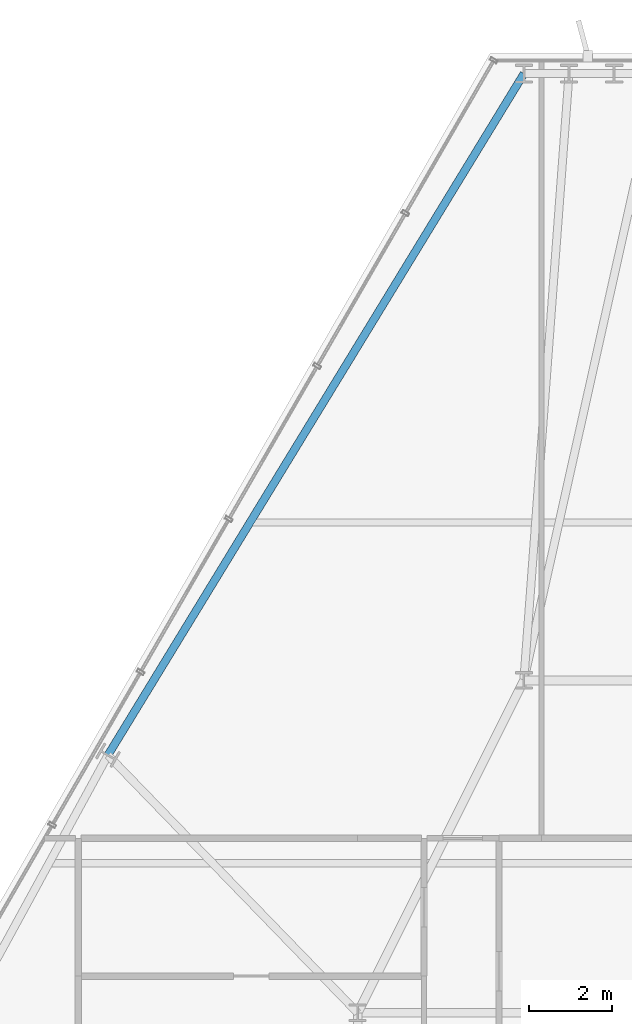
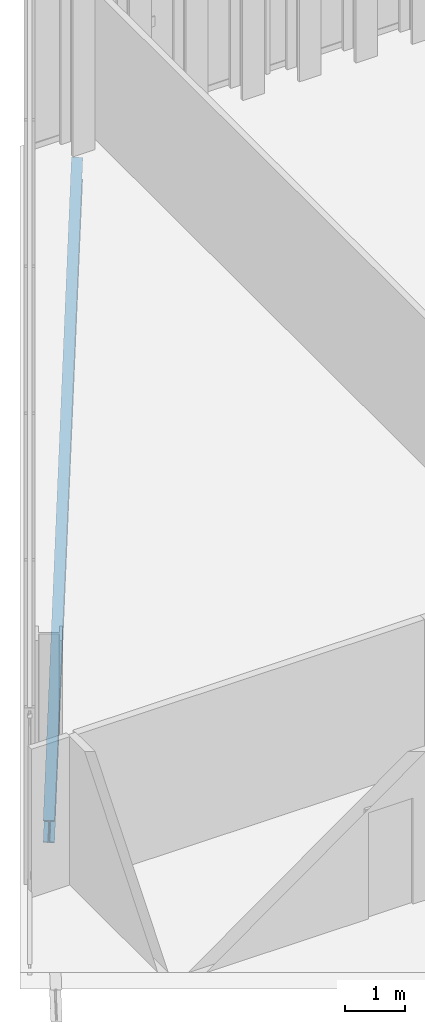
# One storey, part 20 of 34: 1 beam.
"""IFC4 building model written with IfcOpenShell, lengths in metres."""

from ifc_helpers import new_model, si_unit, direction, frame, origin, origin_2d, place, context, subcontext, project, spatial, i_section, extrude, material, material_profile, profile_set, type_object, element, save


model = new_model("IFC4")

# Units and contexts
model_context = context("Model", 3, precision=1e-05, world=origin(), true_north=direction((0.0, 1.0)))
body_context = subcontext(model_context, "Body", "Model", "MODEL_VIEW")
ifc_project = project(units=[si_unit("LENGTHUNIT", "METRE"), si_unit("AREAUNIT", "SQUARE_METRE"), si_unit("VOLUMEUNIT", "CUBIC_METRE"), si_unit("PLANEANGLEUNIT", "RADIAN"), si_unit("MASSUNIT", "GRAM", prefix="KILO")], contexts=[model_context])

# Site, building, storey
site_placement = place(None, origin())
site = spatial("IfcSite", under=ifc_project, at=site_placement, CompositionType="ELEMENT")
building_placement = place(site_placement, origin())
building = spatial("IfcBuilding", under=site, at=building_placement, Name="Ndaravel Arena Tower", CompositionType="ELEMENT")
storey_placement = place(building_placement, frame((0.0, 0.0, 195.39990234375)))
storey = spatial("IfcBuildingStorey", under=building, at=storey_placement, Name="L47", CompositionType="ELEMENT", Elevation=195.39990234375)

# Beam
ifc_material = material(Name="Steel S355", Category="steel")
ifc_material_profile = material_profile(ifc_material, i_section(OverallWidth=0.18994140625, OverallDepth=0.449951171875, WebThickness=0.009521484375, FlangeThickness=0.0146484375, FilletRadius=0.02099609375, at=origin_2d()), Name="IPE 450")
ifc_profile_set = profile_set([ifc_material_profile], Name="Steel S355")
beam_type = type_object("IfcBeamType", Name="BM-SPAN-IPE450", PredefinedType="SPANDREL", material=ifc_profile_set)
beam_placement = place(storey_placement, frame((38.2041015625, 45.805908203125, -0.44482421875), z_axis=(-0.521020418389, -0.853544213045, 0.0), x_axis=(0.853544213045, -0.521020418389, 0.0)))
element("IfcBeam", 1, at=beam_placement, inside=storey, type_object=beam_type, Name="L47 Perimeter Spandrel Beam SP-18", PredefinedType="SPANDREL", context=body_context, shape_type="SweptSolid", body=[
    extrude(i_section(OverallWidth=0.18994140625, OverallDepth=0.449951171875, WebThickness=0.009521484375, FlangeThickness=0.0146484375, FilletRadius=0.02099609375, at=origin_2d()), origin(), (0.0, 0.0, 1.0), 19.220703125),
])

save(model, "model.ifc")
